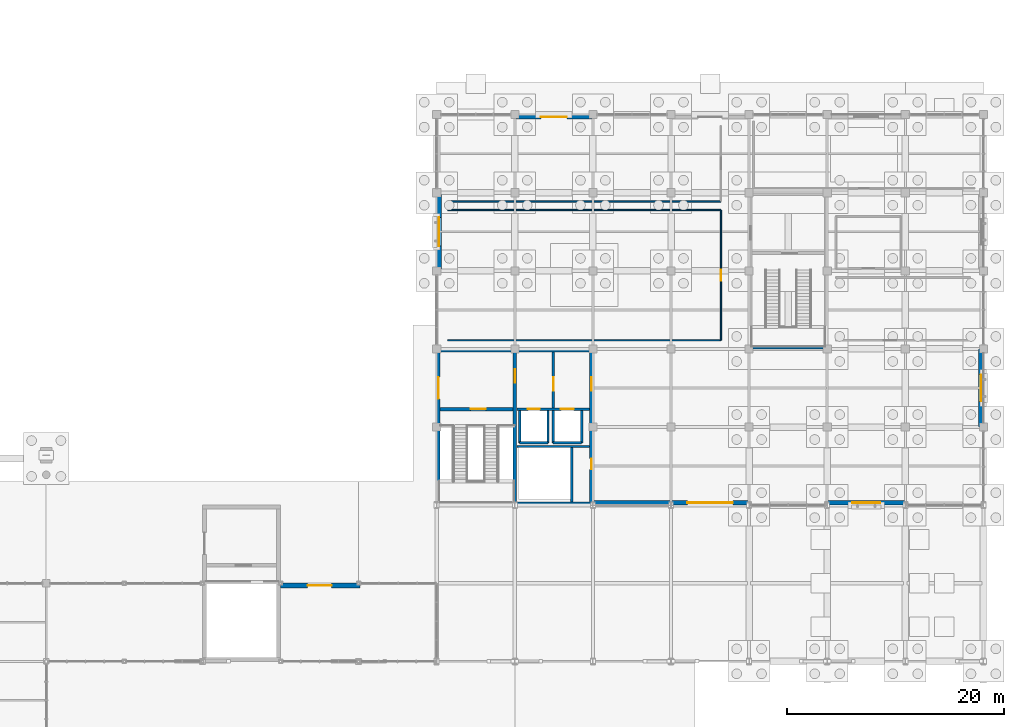
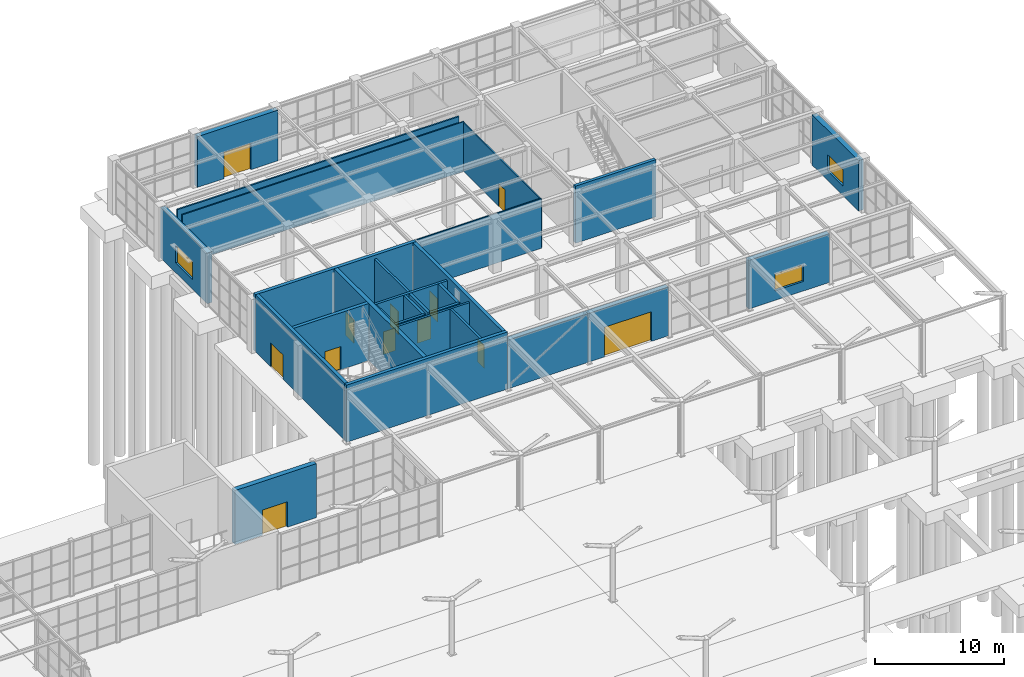
# One storey, part 62 of 75: 28 walls, 12 doors, 3 windows, 15 openings.
"""IFC4 building model written with IfcOpenShell, lengths in metres."""

from ifc_helpers import new_model, si_unit, direction, frame, frame_2d, origin, place, context, subcontext, project, spatial, rectangle, extrude, material, layer, layer_set, type_object, element, fill, save


model = new_model("IFC4")

# Units and contexts
model_context = context("Model", 3, precision=1e-05, world=origin(), true_north=direction((0.0, 1.0)))
body_context = subcontext(model_context, "Body", "Model", "MODEL_VIEW")
ifc_project = project(units=[si_unit("LENGTHUNIT", "METRE"), si_unit("AREAUNIT", "SQUARE_METRE"), si_unit("VOLUMEUNIT", "CUBIC_METRE"), si_unit("PLANEANGLEUNIT", "RADIAN"), si_unit("MASSUNIT", "GRAM", prefix="KILO")], contexts=[model_context])

# Site, building, storey
site_placement = place(None, origin())
site = spatial("IfcSite", under=ifc_project, at=site_placement, CompositionType="ELEMENT")
building_placement = place(site_placement, origin())
building = spatial("IfcBuilding", under=site, at=building_placement, Name="Leyfeld Transit Interchange", CompositionType="ELEMENT")
storey_placement = place(building_placement, origin())
storey = spatial("IfcBuildingStorey", under=building, at=storey_placement, Name="L00", CompositionType="ELEMENT", Elevation=0.0)

# Wall, opening, door
ifc_material_1 = material(Name="Clinker brick masonry - Insulated", Category="masonry")
ifc_layer_1 = layer(ifc_material_1, 0.419921875, Name="Clinker brick masonry - Insulated")
ifc_layer_set_1 = layer_set([ifc_layer_1], Name="Clinker brick masonry - Insulated")
wall_type_1 = type_object("IfcWallType", Name="WL-EXT-BRK-420", PredefinedType="SOLIDWALL", material=ifc_layer_set_1)
wall_1_placement = place(storey_placement, frame((144.0, 93.389892578125, 0.0), z_axis=(0.0, 0.0, 1.0), x_axis=(1.0, 0.0, 0.0)))
wall_1 = element("IfcWall", 1, at=wall_1_placement, inside=storey, type_object=wall_type_1, Name="External Facade Wall EW-L00-033", PredefinedType="SOLIDWALL", context=body_context, shape_type="SweptSolid", body=[
    extrude(rectangle(XDim=7.199951171875, YDim=0.419921875, at=frame_2d((3.60009765625, 0.0))), origin(), (0.0, 0.0, 1.0), 4.800048828125),
])
opening_1_placement = place(wall_1_placement, frame((2.39990234375, 0.0, 0.0)))
opening_1 = element("IfcOpeningElement", 2, at=opening_1_placement, cuts=wall_1, Name="Opening DE-01", PredefinedType="OPENING", context=body_context, shape_type="SweptSolid", body=[
    extrude(rectangle(XDim=2.39990234375, YDim=2.5, at=frame_2d((1.199951171875, 1.25))), frame((0.0, 0.219970703125, 0.0), z_axis=(0.0, -1.0, 0.0), x_axis=(1.0, 0.0, 0.0)), (0.0, 0.0, 1.0), 0.43994140625),
])
ifc_material_2 = material(Name="Anodised aluminium EN AW-6060 T66", Category="aluminium")
door_type_1 = type_object("IfcDoorType", Name="DR-EXT-DBL-2400x2500", OperationType="NOTDEFINED", PredefinedType="DOOR", material=ifc_material_2)
door_1_placement = place(opening_1_placement, origin())
door_1 = element("IfcDoor", 3, at=door_1_placement, inside=storey, type_object=door_type_1, Name="DR-EXT-L00-015", OperationType="DOUBLE_DOOR_SINGLE_SWING", OverallHeight=2.5, OverallWidth=2.39990234375, PredefinedType="DOOR", context=body_context, shape_type="SweptSolid", body=[
    extrude(rectangle(XDim=2.39990234375, YDim=2.5, at=frame_2d((1.199951171875, 1.25))), frame((0.0, 0.02490234375, 0.0), z_axis=(0.0, -1.0, 0.0), x_axis=(1.0, 0.0, 0.0)), (0.0, 0.0, 1.0), 0.050048828125),
])
fill(opening_1, door_1)

ifc_material_3 = material(Name="Leitha limestone ashlar - Insulated", Category="masonry")
ifc_layer_2 = layer(ifc_material_3, 0.43994140625, Name="Leitha limestone ashlar - Insulated")
ifc_layer_set_2 = layer_set([ifc_layer_2], Name="Leitha limestone ashlar - Insulated")
wall_type_2 = type_object("IfcWallType", Name="WL-EXT-STN-440", PredefinedType="SOLIDWALL", material=ifc_layer_set_2)
wall_2_placement = place(storey_placement, frame((122.39990234375, 50.179931640625, 0.0), z_axis=(0.0, 0.0, 1.0), x_axis=(1.0, 0.0, 0.0)))
wall_2 = element("IfcWall", 4, at=wall_2_placement, inside=storey, type_object=wall_type_2, Name="External Facade Wall EW-L00-028", PredefinedType="SOLIDWALL", context=body_context, shape_type="SweptSolid", body=[
    extrude(rectangle(XDim=7.315185546875, YDim=0.43994140625, at=frame_2d((3.65771484375, 0.0))), origin(), (0.0, 0.0, 1.0), 5.10009765625),
])
opening_2_placement = place(wall_2_placement, frame((2.5, 0.0, 0.0)))
opening_2 = element("IfcOpeningElement", 5, at=opening_2_placement, cuts=wall_2, Name="Opening DE-02", PredefinedType="OPENING", context=body_context, shape_type="SweptSolid", body=[
    extrude(rectangle(XDim=2.199951171875, YDim=2.39990234375, at=frame_2d((1.10009765625, 1.199951171875))), frame((0.0, 0.22998046875, 0.0), z_axis=(0.0, -1.0, 0.0), x_axis=(1.0, 0.0, 0.0)), (0.0, 0.0, 1.0), 0.4599609375),
])
door_type_2 = type_object("IfcDoorType", Name="DR-EXT-DBL-2200x2400", OperationType="NOTDEFINED", PredefinedType="DOOR", material=ifc_material_2)
door_2_placement = place(opening_2_placement, origin())
door_2 = element("IfcDoor", 6, at=door_2_placement, inside=storey, type_object=door_type_2, Name="DR-EXT-L00-010", OperationType="DOUBLE_DOOR_SINGLE_SWING", OverallHeight=2.39990234375, OverallWidth=2.199951171875, PredefinedType="DOOR", context=body_context, shape_type="SweptSolid", body=[
    extrude(rectangle(XDim=2.199951171875, YDim=2.39990234375, at=frame_2d((1.10009765625, 1.199951171875))), frame((0.0, 0.02490234375, 0.0), z_axis=(0.0, -1.0, 0.0), x_axis=(1.0, 0.0, 0.0)), (0.0, 0.0, 1.0), 0.050048828125),
])
fill(opening_2, door_2)

# Wall, opening, window
wall_3_placement = place(storey_placement, frame((186.97998046875, 72.0, 0.0), z_axis=(0.0, 0.0, 1.0), x_axis=(0.0, -1.0, 0.0)))
wall_3 = element("IfcWall", 7, at=wall_3_placement, inside=storey, type_object=wall_type_2, Name="External Facade Wall EW-L00-037", PredefinedType="SOLIDWALL", context=body_context, shape_type="SweptSolid", body=[
    extrude(rectangle(XDim=7.199951171875, YDim=0.43994140625, at=frame_2d((3.60009765625, 0.0))), origin(), (0.0, 0.0, 1.0), 4.77001953125),
])
opening_3_placement = place(wall_3_placement, frame((2.375, 0.0, 0.89990234375)))
opening_3 = element("IfcOpeningElement", 8, at=opening_3_placement, cuts=wall_3, Name="Opening WU-13", PredefinedType="OPENING", context=body_context, shape_type="SweptSolid", body=[
    extrude(rectangle(XDim=2.449951171875, YDim=1.550048828125, at=frame_2d((1.22509765625, 0.77490234375))), frame((0.0, 0.22998046875, 0.0), z_axis=(0.0, -1.0, 0.0), x_axis=(1.0, 0.0, 0.0)), (0.0, 0.0, 1.0), 0.4599609375),
])
ifc_material_4 = material(Name="Triple low-E insulated glazing", Category="glass")
window_type_1 = type_object("IfcWindowType", Name="WIN-UNQ-13", PartitioningType="SINGLE_PANEL", PredefinedType="WINDOW", material=ifc_material_4)
window_1_placement = place(opening_3_placement, origin())
window_1 = element("IfcWindow", 9, at=window_1_placement, inside=storey, type_object=window_type_1, Name="Facade Window L00 013", OverallHeight=1.550048828125, OverallWidth=2.449951171875, PartitioningType="SINGLE_PANEL", PredefinedType="WINDOW", context=body_context, shape_type="SweptSolid", body=[
    extrude(rectangle(XDim=2.449951171875, YDim=1.550048828125, at=frame_2d((1.22509765625, 0.77490234375))), frame((0.0, 0.030029296875, 0.0), z_axis=(0.0, -1.0, 0.0), x_axis=(1.0, 0.0, 0.0)), (0.0, 0.0, 1.0), 0.06005859375),
])
fill(opening_3, window_1)

wall_4_placement = place(storey_placement, frame((180.0, 57.820068359375, 0.0), z_axis=(0.0, 0.0, 1.0), x_axis=(-1.0, 0.0, 0.0)))
wall_4 = element("IfcWall", 10, at=wall_4_placement, inside=storey, type_object=wall_type_2, Name="External Facade Wall EW-L00-038", PredefinedType="SOLIDWALL", context=body_context, shape_type="SweptSolid", body=[
    extrude(rectangle(XDim=7.199951171875, YDim=0.43994140625, at=frame_2d((3.60009765625, 0.0))), origin(), (0.0, 0.0, 1.0), 4.60009765625),
])
opening_4_placement = place(wall_4_placement, frame((2.324951171875, 0.0, 0.89990234375)))
opening_4 = element("IfcOpeningElement", 11, at=opening_4_placement, cuts=wall_4, Name="Opening WU-14", PredefinedType="OPENING", context=body_context, shape_type="SweptSolid", body=[
    extrude(rectangle(XDim=2.550048828125, YDim=1.60009765625, at=frame_2d((1.27490234375, 0.800048828125))), frame((0.0, 0.22998046875, 0.0), z_axis=(0.0, -1.0, 0.0), x_axis=(1.0, 0.0, 0.0)), (0.0, 0.0, 1.0), 0.4599609375),
])
window_type_2 = type_object("IfcWindowType", Name="WIN-UNQ-14", PartitioningType="SINGLE_PANEL", PredefinedType="WINDOW", material=ifc_material_4)
window_2_placement = place(opening_4_placement, origin())
window_2 = element("IfcWindow", 12, at=window_2_placement, inside=storey, type_object=window_type_2, Name="Facade Window L00 014", OverallHeight=1.60009765625, OverallWidth=2.550048828125, PartitioningType="SINGLE_PANEL", PredefinedType="WINDOW", context=body_context, shape_type="SweptSolid", body=[
    extrude(rectangle(XDim=2.550048828125, YDim=1.60009765625, at=frame_2d((1.27490234375, 0.800048828125))), frame((0.0, 0.030029296875, 0.0), z_axis=(0.0, -1.0, 0.0), x_axis=(1.0, 0.0, 0.0)), (0.0, 0.0, 1.0), 0.06005859375),
])
fill(opening_4, window_2)

# Wall, opening, door
wall_5_placement = place(storey_placement, frame((165.60009765625, 57.820068359375, 0.0), z_axis=(0.0, 0.0, 1.0), x_axis=(-1.0, 0.0, 0.0)))
wall_5 = element("IfcWall", 13, at=wall_5_placement, inside=storey, type_object=wall_type_2, Name="External Facade Wall EW-L00-039", PredefinedType="SOLIDWALL", context=body_context, shape_type="SweptSolid", body=[
    extrude(rectangle(XDim=7.2001953125, YDim=0.43994140625, at=frame_2d((3.60009765625, 0.0))), origin(), (0.0, 0.0, 1.0), 4.60009765625),
])
opening_5_placement = place(wall_5_placement, frame((1.5, 0.0, 0.0)))
opening_5 = element("IfcOpeningElement", 14, at=opening_5_placement, cuts=wall_5, Name="Opening GT-03", PredefinedType="OPENING", context=body_context, shape_type="SweptSolid", body=[
    extrude(rectangle(XDim=4.199951171875, YDim=2.800048828125, at=frame_2d((2.10009765625, 1.39990234375))), frame((0.0, 0.22998046875, 0.0), z_axis=(0.0, -1.0, 0.0), x_axis=(1.0, 0.0, 0.0)), (0.0, 0.0, 1.0), 0.4599609375),
])
ifc_material_5 = material(Name="Galvanised steel S275JR", Category="steel")
door_type_3 = type_object("IfcDoorType", Name="GT-BUS-4200x2800", OperationType="NOTDEFINED", PredefinedType="GATE", material=ifc_material_5)
door_3_placement = place(opening_5_placement, origin())
door_3 = element("IfcDoor", 15, at=door_3_placement, inside=storey, type_object=door_type_3, Name="GT-L00-08", OperationType="ROLLINGUP", OverallHeight=2.800048828125, OverallWidth=4.199951171875, PredefinedType="GATE", context=body_context, shape_type="SweptSolid", body=[
    extrude(rectangle(XDim=4.199951171875, YDim=2.800048828125, at=frame_2d((2.10009765625, 1.39990234375))), frame((0.0, 0.02490234375, 0.0), z_axis=(0.0, -1.0, 0.0), x_axis=(1.0, 0.0, 0.0)), (0.0, 0.0, 1.0), 0.050048828125),
])
fill(opening_5, door_3)

# Wall
wall_6_placement = place(storey_placement, frame((158.39990234375, 57.820068359375, 0.0), z_axis=(0.0, 0.0, 1.0), x_axis=(-1.0, 0.0, 0.0)))
element("IfcWall", 16, at=wall_6_placement, inside=storey, type_object=wall_type_2, Name="External Facade Wall EW-L00-040", PredefinedType="SOLIDWALL", context=body_context, shape_type="SweptSolid", body=[
    extrude(rectangle(XDim=7.199951171875, YDim=0.43994140625, at=frame_2d((3.60009765625, 0.0))), origin(), (0.0, 0.0, 1.0), 4.60009765625),
])

# Wall, opening, window
wall_7_placement = place(storey_placement, frame((137.02001953125, 79.199951171875, 0.0), z_axis=(0.0, 0.0, 1.0), x_axis=(0.0, 1.0, 0.0)))
wall_7 = element("IfcWall", 17, at=wall_7_placement, inside=storey, type_object=wall_type_2, Name="External Facade Wall EW-L00-041", PredefinedType="SOLIDWALL", context=body_context, shape_type="SweptSolid", body=[
    extrude(rectangle(XDim=7.199951171875, YDim=0.43994140625, at=frame_2d((3.60009765625, 0.0))), origin(), (0.0, 0.0, 1.0), 4.77001953125),
])
opening_6_placement = place(wall_7_placement, frame((2.27490234375, 0.0, 0.89990234375)))
opening_6 = element("IfcOpeningElement", 18, at=opening_6_placement, cuts=wall_7, Name="Opening WU-15", PredefinedType="OPENING", context=body_context, shape_type="SweptSolid", body=[
    extrude(rectangle(XDim=2.64990234375, YDim=1.699951171875, at=frame_2d((1.324951171875, 0.85009765625))), frame((0.0, 0.22998046875, 0.0), z_axis=(0.0, -1.0, 0.0), x_axis=(1.0, 0.0, 0.0)), (0.0, 0.0, 1.0), 0.4599609375),
])
window_type_3 = type_object("IfcWindowType", Name="WIN-UNQ-15", PartitioningType="SINGLE_PANEL", PredefinedType="WINDOW", material=ifc_material_4)
window_3_placement = place(opening_6_placement, origin())
window_3 = element("IfcWindow", 19, at=window_3_placement, inside=storey, type_object=window_type_3, Name="Facade Window L00 015", OverallHeight=1.699951171875, OverallWidth=2.64990234375, PartitioningType="SINGLE_PANEL", PredefinedType="WINDOW", context=body_context, shape_type="SweptSolid", body=[
    extrude(rectangle(XDim=2.64990234375, YDim=1.699951171875, at=frame_2d((1.324951171875, 0.85009765625))), frame((0.0, 0.030029296875, 0.0), z_axis=(0.0, -1.0, 0.0), x_axis=(1.0, 0.0, 0.0)), (0.0, 0.0, 1.0), 0.06005859375),
])
fill(opening_6, window_3)

# Wall, opening, door
ifc_material_6 = material(Name="Concrete C35/45", Category="concrete")
ifc_layer_3 = layer(ifc_material_6, 0.199951171875, Name="Concrete C35/45")
ifc_layer_set_3 = layer_set([ifc_layer_3], Name="Concrete C35/45")
wall_type_3 = type_object("IfcWallType", Name="WL-INT-FFL-200", PredefinedType="PARTITIONING", material=ifc_layer_set_3)
wall_8_placement = place(storey_placement, frame((147.550048828125, 66.56005859375, 0.0), z_axis=(0.0, 0.0, 1.0), x_axis=(0.0, 1.0, 0.0)))
wall_8 = element("IfcWall", 20, at=wall_8_placement, inside=storey, type_object=wall_type_3, Name="Core K4 Firefighting Lobby Compartment Wall L00", PredefinedType="PARTITIONING", context=body_context, shape_type="SweptSolid", body=[
    extrude(rectangle(XDim=5.139892578125, YDim=0.199951171875, at=frame_2d((2.56982421875, 0.0))), origin(), (0.0, 0.0, 1.0), 5.050048828125),
])
opening_7_placement = place(wall_8_placement, frame((1.60009765625, 0.0, 0.0)))
opening_7 = element("IfcOpeningElement", 21, at=opening_7_placement, cuts=wall_8, Name="Opening DI-02", PredefinedType="OPENING", context=body_context, shape_type="SweptSolid", body=[
    extrude(rectangle(XDim=1.25, YDim=2.199951171875, at=frame_2d((0.625, 1.10009765625))), frame((0.0, 0.10986328125, 0.0), z_axis=(0.0, -1.0, 0.0), x_axis=(1.0, 0.0, 0.0)), (0.0, 0.0, 1.0), 0.219970703125),
])
door_type_4 = type_object("IfcDoorType", Name="DR-FFL-1250x2200", OperationType="NOTDEFINED", PredefinedType="DOOR", material=ifc_material_5)
door_4_placement = place(opening_7_placement, origin())
door_4 = element("IfcDoor", 22, at=door_4_placement, inside=storey, type_object=door_type_4, Name="DR-FFL-CON-K4-L00", OperationType="SINGLE_SWING_RIGHT", OverallHeight=2.199951171875, OverallWidth=1.25, PredefinedType="DOOR", context=body_context, shape_type="SweptSolid", body=[
    extrude(rectangle(XDim=1.25, YDim=2.199951171875, at=frame_2d((0.625, 1.10009765625))), frame((0.0, 0.02490234375, 0.0), z_axis=(0.0, -1.0, 0.0), x_axis=(1.0, 0.0, 0.0)), (0.0, 0.0, 1.0), 0.050048828125),
])
fill(opening_7, door_4)

# Walls
ifc_material_7 = material(Name="Gypsum plasterboard acoustic stud", Category="gypsum")
ifc_layer_4 = layer(ifc_material_7, 0.114990234375, Name="Gypsum plasterboard acoustic stud")
ifc_layer_set_4 = layer_set([ifc_layer_4], Name="Gypsum plasterboard acoustic stud")
wall_type_4 = type_object("IfcWallType", Name="WL-INT-OFF-115", PredefinedType="PARTITIONING", material=ifc_layer_set_4)
for number, where, z_axis, x_axis, name in (
    (23, (137.800048828125, 84.800048828125, 0.0), (0.0, 0.0, 1.0), (1.0, 0.0, 0.0), "Interior Partition L00-BUS-02 N"),
    (24, (163.0, 72.800048828125, 0.0), (0.0, 0.0, 1.0), (-1.0, 0.0, 0.0), "Interior Partition L00-BUS-02 S"),
):
    element("IfcWall", number, at=place(storey_placement, frame(where, z_axis=z_axis, x_axis=x_axis)), inside=storey, type_object=wall_type_4, Name=name, PredefinedType="PARTITIONING", context=body_context, shape_type="SweptSolid", body=[
        extrude(rectangle(XDim=25.199951171875, YDim=0.114990234375, at=frame_2d((12.60009765625, 0.0))), origin(), (0.0, 0.0, 1.0), 4.699951171875),
    ])

# Wall, opening, door
wall_9_placement = place(storey_placement, frame((163.0, 84.800048828125, 0.0), z_axis=(0.0, 0.0, 1.0), x_axis=(0.0, -1.0, 0.0)))
wall_9 = element("IfcWall", 25, at=wall_9_placement, inside=storey, type_object=wall_type_4, Name="Interior Partition L00-BUS-02 E", PredefinedType="PARTITIONING", context=body_context, shape_type="SweptSolid", body=[
    extrude(rectangle(XDim=12.0, YDim=0.114990234375, at=frame_2d((6.0, 0.0))), origin(), (0.0, 0.0, 1.0), 4.60009765625),
])
opening_8_placement = place(wall_9_placement, frame((5.510009765625, 0.0, 0.0)))
opening_8 = element("IfcOpeningElement", 26, at=opening_8_placement, cuts=wall_9, Name="Opening DV-02", PredefinedType="OPENING", context=body_context, shape_type="SweptSolid", body=[
    extrude(rectangle(XDim=0.97998046875, YDim=2.14990234375, at=frame_2d((0.489990234375, 1.074951171875))), frame((0.0, 0.0673828125, 0.0), z_axis=(0.0, -1.0, 0.0), x_axis=(1.0, 0.0, 0.0)), (0.0, 0.0, 1.0), 0.135009765625),
])
ifc_material_8 = material(Name="Austrian larch glulam GL28h", Category="wood")
door_type_5 = type_object("IfcDoorType", Name="DR-VAR-02", OperationType="NOTDEFINED", PredefinedType="DOOR", material=ifc_material_8)
door_5_placement = place(opening_8_placement, origin())
door_5 = element("IfcDoor", 27, at=door_5_placement, inside=storey, type_object=door_type_5, Name="DR-L00-BUS-02", OperationType="SINGLE_SWING_RIGHT", OverallHeight=2.14990234375, OverallWidth=0.97998046875, PredefinedType="DOOR", context=body_context, shape_type="SweptSolid", body=[
    extrude(rectangle(XDim=0.97998046875, YDim=2.14990234375, at=frame_2d((0.489990234375, 1.074951171875))), frame((0.0, 0.02490234375, 0.0), z_axis=(0.0, -1.0, 0.0), x_axis=(1.0, 0.0, 0.0)), (0.0, 0.0, 1.0), 0.050048828125),
])
fill(opening_8, door_5)

# Walls
ifc_material_9 = material(Name="Calcium silicate masonry", Category="masonry")
ifc_layer_5 = layer(ifc_material_9, 0.18994140625, Name="Calcium silicate masonry")
ifc_layer_set_5 = layer_set([ifc_layer_5], Name="Calcium silicate masonry")
wall_type_5 = type_object("IfcWallType", Name="WL-INT-PLT-190", PredefinedType="PARTITIONING", material=ifc_layer_set_5)
wall_10_placement = place(storey_placement, frame((144.179931640625, 63.02001953125, 0.0), z_axis=(0.0, 0.0, 1.0), x_axis=(1.0, 0.0, 0.0)))
element("IfcWall", 28, at=wall_10_placement, inside=storey, type_object=wall_type_5, Name="Core K4 Riser Compartment Wall L00", PredefinedType="PARTITIONING", context=body_context, shape_type="SweptSolid", body=[
    extrude(rectangle(XDim=6.719970703125, YDim=0.18994140625, at=frame_2d((3.35986328125, 0.0))), origin(), (0.0, 0.0, 1.0), 5.050048828125),
])
wall_11_placement = place(storey_placement, frame((149.25, 57.89990234375, 0.0), z_axis=(0.0, 0.0, 1.0), x_axis=(0.0, 1.0, 0.0)))
element("IfcWall", 29, at=wall_11_placement, inside=storey, type_object=wall_type_5, Name="Core K4 Riser Shaft East Wall L00", PredefinedType="PARTITIONING", context=body_context, shape_type="SweptSolid", body=[
    extrude(rectangle(XDim=5.030029296875, YDim=0.18994140625, at=frame_2d((2.51513671875, 0.0))), origin(), (0.0, 0.0, 1.0), 5.050048828125),
])
ifc_layer_6 = layer(ifc_material_7, 0.135009765625, Name="Gypsum plasterboard acoustic stud")
ifc_layer_set_6 = layer_set([ifc_layer_6], Name="Gypsum plasterboard acoustic stud")
wall_type_6 = type_object("IfcWallType", Name="WL-INT-RET-135", PredefinedType="PARTITIONING", material=ifc_layer_set_6)
wall_12_placement = place(storey_placement, frame((163.0, 85.60009765625, 0.0), z_axis=(0.0, 0.0, 1.0), x_axis=(-1.0, 0.0, 0.0)))
element("IfcWall", 30, at=wall_12_placement, inside=storey, type_object=wall_type_6, Name="Interior Partition L00-RET-03 S", PredefinedType="PARTITIONING", context=body_context, shape_type="SweptSolid", body=[
    extrude(rectangle(XDim=25.199951171875, YDim=0.135009765625, at=frame_2d((12.60009765625, 0.0))), origin(), (0.0, 0.0, 1.0), 4.699951171875),
])

# Wall, openings, doors
ifc_layer_7 = layer(ifc_material_6, 0.219970703125, Name="Concrete C35/45")
ifc_layer_set_7 = layer_set([ifc_layer_7], Name="Concrete C35/45")
wall_type_7 = type_object("IfcWallType", Name="WL-INT-SHF-220", PredefinedType="PARTITIONING", material=ifc_layer_set_7)
wall_13_placement = place(storey_placement, frame((144.179931640625, 66.449951171875, 0.0), z_axis=(0.0, 0.0, 1.0), x_axis=(1.0, 0.0, 0.0)))
wall_13 = element("IfcWall", 31, at=wall_13_placement, inside=storey, type_object=wall_type_7, Name="Core K4 Lift Shaft Front Wall L00", PredefinedType="PARTITIONING", context=body_context, shape_type="SweptSolid", body=[
    extrude(rectangle(XDim=6.719970703125, YDim=0.219970703125, at=frame_2d((3.35986328125, 0.0))), origin(), (0.0, 0.0, 1.0), 5.050048828125),
])
opening_9_placement = place(wall_13_placement, frame((1.02001953125, 0.0, 0.0)))
opening_9 = element("IfcOpeningElement", 32, at=opening_9_placement, cuts=wall_13, Name="Opening LD-01", PredefinedType="OPENING", context=body_context, shape_type="SweptSolid", body=[
    extrude(rectangle(XDim=1.10009765625, YDim=2.14990234375, at=frame_2d((0.550048828125, 1.074951171875))), frame((0.0, 0.119873046875, 0.0), z_axis=(0.0, -1.0, 0.0), x_axis=(1.0, 0.0, 0.0)), (0.0, 0.0, 1.0), 0.239990234375),
])
opening_10_placement = place(wall_13_placement, frame((4.070068359375, 0.0, 0.0)))
opening_10 = element("IfcOpeningElement", 33, at=opening_10_placement, cuts=wall_13, Name="Opening LD-02", PredefinedType="OPENING", context=body_context, shape_type="SweptSolid", body=[
    extrude(rectangle(XDim=1.199951171875, YDim=2.14990234375, at=frame_2d((0.60009765625, 1.074951171875))), frame((0.0, 0.119873046875, 0.0), z_axis=(0.0, -1.0, 0.0), x_axis=(1.0, 0.0, 0.0)), (0.0, 0.0, 1.0), 0.239990234375),
])
ifc_material_10 = material(Name="Stainless steel EN 1.4404", Category="steel")
door_type_6 = type_object("IfcDoorType", Name="DR-LD-FFL-1100x2150", OperationType="NOTDEFINED", PredefinedType="DOOR", material=ifc_material_10)
door_6_placement = place(opening_9_placement, origin())
door_6 = element("IfcDoor", 34, at=door_6_placement, inside=storey, type_object=door_type_6, Name="LD-FFL-2-L00", OperationType="DOUBLE_DOOR_SLIDING", OverallHeight=2.14990234375, OverallWidth=1.10009765625, PredefinedType="DOOR", context=body_context, shape_type="SweptSolid", body=[
    extrude(rectangle(XDim=1.10009765625, YDim=2.14990234375, at=frame_2d((0.550048828125, 1.074951171875))), frame((0.0, 0.02490234375, 0.0), z_axis=(0.0, -1.0, 0.0), x_axis=(1.0, 0.0, 0.0)), (0.0, 0.0, 1.0), 0.050048828125),
])
fill(opening_9, door_6)
door_type_7 = type_object("IfcDoorType", Name="DR-LD-PAS-1200x2150", OperationType="NOTDEFINED", PredefinedType="DOOR", material=ifc_material_10)
door_7_placement = place(opening_10_placement, origin())
door_7 = element("IfcDoor", 35, at=door_7_placement, inside=storey, type_object=door_type_7, Name="LD-PL-4-L00", OperationType="DOUBLE_DOOR_SLIDING", OverallHeight=2.14990234375, OverallWidth=1.199951171875, PredefinedType="DOOR", context=body_context, shape_type="SweptSolid", body=[
    extrude(rectangle(XDim=1.199951171875, YDim=2.14990234375, at=frame_2d((0.60009765625, 1.074951171875))), frame((0.0, 0.02490234375, 0.0), z_axis=(0.0, -1.0, 0.0), x_axis=(1.0, 0.0, 0.0)), (0.0, 0.0, 1.0), 0.050048828125),
])
fill(opening_10, door_7)

# Walls
wall_14_placement = place(storey_placement, frame((144.43994140625, 63.340087890625, 0.0), z_axis=(0.0, 0.0, 1.0), x_axis=(1.0, 0.0, 0.0)))
element("IfcWall", 36, at=wall_14_placement, inside=storey, type_object=wall_type_7, Name="Core K4 Lift FFL-2 Shaft Back Wall L00", PredefinedType="PARTITIONING", context=body_context, shape_type="SweptSolid", body=[
    extrude(rectangle(XDim=2.6201171875, YDim=0.219970703125, at=frame_2d((1.31005859375, 0.0))), origin(), (0.0, 0.0, 1.0), 5.050048828125),
])
for number, where, z_axis, x_axis, name in (
    (37, (144.43994140625, 63.340087890625, 0.0), (0.0, 0.0, 1.0), (0.0, 1.0, 0.0), "Core K4 Lift FFL-2 Shaft Wall W L00"),
    (38, (147.06005859375, 63.340087890625, 0.0), (0.0, 0.0, 1.0), (0.0, 1.0, 0.0), "Core K4 Lift FFL-2 Shaft Wall E L00"),
):
    element("IfcWall", number, at=place(storey_placement, frame(where, z_axis=z_axis, x_axis=x_axis)), inside=storey, type_object=wall_type_7, Name=name, PredefinedType="PARTITIONING", context=body_context, shape_type="SweptSolid", body=[
        extrude(rectangle(XDim=3.0, YDim=0.219970703125, at=frame_2d((1.5, 0.0))), origin(), (0.0, 0.0, 1.0), 5.050048828125),
    ])
wall_15_placement = place(storey_placement, frame((147.5400390625, 63.340087890625, 0.0), z_axis=(0.0, 0.0, 1.0), x_axis=(1.0, 0.0, 0.0)))
element("IfcWall", 39, at=wall_15_placement, inside=storey, type_object=wall_type_7, Name="Core K4 Lift PL-4 Shaft Back Wall L00", PredefinedType="PARTITIONING", context=body_context, shape_type="SweptSolid", body=[
    extrude(rectangle(XDim=2.619873046875, YDim=0.219970703125, at=frame_2d((1.31005859375, 0.0))), origin(), (0.0, 0.0, 1.0), 5.050048828125),
])
for number, where, z_axis, x_axis, name in (
    (40, (147.5400390625, 63.340087890625, 0.0), (0.0, 0.0, 1.0), (0.0, 1.0, 0.0), "Core K4 Lift PL-4 Shaft Wall W L00"),
    (41, (150.159912109375, 63.340087890625, 0.0), (0.0, 0.0, 1.0), (0.0, 1.0, 0.0), "Core K4 Lift PL-4 Shaft Wall E L00"),
):
    element("IfcWall", number, at=place(storey_placement, frame(where, z_axis=z_axis, x_axis=x_axis)), inside=storey, type_object=wall_type_7, Name=name, PredefinedType="PARTITIONING", context=body_context, shape_type="SweptSolid", body=[
        extrude(rectangle(XDim=3.0, YDim=0.219970703125, at=frame_2d((1.5, 0.0))), origin(), (0.0, 0.0, 1.0), 5.050048828125),
    ])
ifc_layer_8 = layer(ifc_material_6, 0.300048828125, Name="Concrete C35/45")
ifc_layer_set_8 = layer_set([ifc_layer_8], Name="Concrete C35/45")
wall_type_8 = type_object("IfcWallType", Name="WL-SH-300", PredefinedType="SHEAR", material=ifc_layer_set_8)
wall_16_placement = place(storey_placement, frame((136.800048828125, 71.85009765625, 0.0), z_axis=(0.0, 0.0, 1.0), x_axis=(1.0, 0.0, 0.0)))
element("IfcWall", 42, at=wall_16_placement, inside=storey, type_object=wall_type_8, Name="Core K4 Shear Wall N L00", PredefinedType="SHEAR", context=body_context, shape_type="SweptSolid", body=[
    extrude(rectangle(XDim=14.39990234375, YDim=0.300048828125, at=frame_2d((7.199951171875, 0.0))), origin(), (0.0, 0.0, 1.0), 5.39990234375),
])

# Wall, openings, doors
wall_17_placement = place(storey_placement, frame((151.050048828125, 71.699951171875, 0.0), z_axis=(0.0, 0.0, 1.0), x_axis=(0.0, -1.0, 0.0)))
wall_17 = element("IfcWall", 43, at=wall_17_placement, inside=storey, type_object=wall_type_8, Name="Core K4 Shear Wall E L00", PredefinedType="SHEAR", context=body_context, shape_type="SweptSolid", body=[
    extrude(rectangle(XDim=13.800048828125, YDim=0.300048828125, at=frame_2d((6.89990234375, 0.0))), origin(), (0.0, 0.0, 1.0), 5.39990234375),
])
opening_11_placement = place(wall_17_placement, frame((9.800048828125, 0.0, 0.0)))
opening_11 = element("IfcOpeningElement", 44, at=opening_11_placement, cuts=wall_17, Name="Opening DI-05", PredefinedType="OPENING", context=body_context, shape_type="SweptSolid", body=[
    extrude(rectangle(XDim=1.0, YDim=2.14990234375, at=frame_2d((0.5, 1.074951171875))), frame((0.0, 0.159912109375, 0.0), z_axis=(0.0, -1.0, 0.0), x_axis=(1.0, 0.0, 0.0)), (0.0, 0.0, 1.0), 0.320068359375),
])
opening_12_placement = place(wall_17_placement, frame((2.300048828125, 0.0, 0.0)))
opening_12 = element("IfcOpeningElement", 45, at=opening_12_placement, cuts=wall_17, Name="Opening DI-02", PredefinedType="OPENING", context=body_context, shape_type="SweptSolid", body=[
    extrude(rectangle(XDim=1.25, YDim=2.199951171875, at=frame_2d((0.625, 1.10009765625))), frame((0.0, 0.159912109375, 0.0), z_axis=(0.0, -1.0, 0.0), x_axis=(1.0, 0.0, 0.0)), (0.0, 0.0, 1.0), 0.320068359375),
])
door_8_placement = place(opening_12_placement, origin())
door_8 = element("IfcDoor", 46, at=door_8_placement, inside=storey, type_object=door_type_4, Name="DR-CORE-OUT-K4-L00", OperationType="SINGLE_SWING_LEFT", OverallHeight=2.199951171875, OverallWidth=1.25, PredefinedType="DOOR", context=body_context, shape_type="SweptSolid", body=[
    extrude(rectangle(XDim=1.25, YDim=2.199951171875, at=frame_2d((0.625, 1.10009765625))), frame((0.0, 0.02490234375, 0.0), z_axis=(0.0, -1.0, 0.0), x_axis=(1.0, 0.0, 0.0)), (0.0, 0.0, 1.0), 0.050048828125),
])
fill(opening_12, door_8)
door_type_8 = type_object("IfcDoorType", Name="DR-OFF-1000x2150", OperationType="NOTDEFINED", PredefinedType="DOOR", material=ifc_material_8)
door_9_placement = place(opening_11_placement, origin())
door_9 = element("IfcDoor", 47, at=door_9_placement, inside=storey, type_object=door_type_8, Name="DR-RSR-K4-L00", OperationType="SINGLE_SWING_LEFT", OverallHeight=2.14990234375, OverallWidth=1.0, PredefinedType="DOOR", context=body_context, shape_type="SweptSolid", body=[
    extrude(rectangle(XDim=1.0, YDim=2.14990234375, at=frame_2d((0.5, 1.074951171875))), frame((0.0, 0.02490234375, 0.0), z_axis=(0.0, -1.0, 0.0), x_axis=(1.0, 0.0, 0.0)), (0.0, 0.0, 1.0), 0.050048828125),
])
fill(opening_11, door_9)

# Wall
wall_18_placement = place(storey_placement, frame((151.199951171875, 57.75, 0.0), z_axis=(0.0, 0.0, 1.0), x_axis=(-1.0, 0.0, 0.0)))
element("IfcWall", 48, at=wall_18_placement, inside=storey, type_object=wall_type_8, Name="Core K4 Shear Wall S L00", PredefinedType="SHEAR", context=body_context, shape_type="SweptSolid", body=[
    extrude(rectangle(XDim=14.39990234375, YDim=0.300048828125, at=frame_2d((7.199951171875, 0.0))), origin(), (0.0, 0.0, 1.0), 5.39990234375),
])

# Wall, opening, door
wall_19_placement = place(storey_placement, frame((136.949951171875, 57.89990234375, 0.0), z_axis=(0.0, 0.0, 1.0), x_axis=(0.0, 1.0, 0.0)))
wall_19 = element("IfcWall", 49, at=wall_19_placement, inside=storey, type_object=wall_type_8, Name="Core K4 Shear Wall W L00", PredefinedType="SHEAR", context=body_context, shape_type="SweptSolid", body=[
    extrude(rectangle(XDim=13.800048828125, YDim=0.300048828125, at=frame_2d((6.89990234375, 0.0))), origin(), (0.0, 0.0, 1.0), 5.39990234375),
])
opening_13_placement = place(wall_19_placement, frame((9.5, 0.0, 0.0)))
opening_13 = element("IfcOpeningElement", 50, at=opening_13_placement, cuts=wall_19, Name="Opening DE-03", PredefinedType="OPENING", context=body_context, shape_type="SweptSolid", body=[
    extrude(rectangle(XDim=2.0, YDim=2.300048828125, at=frame_2d((1.0, 1.14990234375))), frame((0.0, 0.159912109375, 0.0), z_axis=(0.0, -1.0, 0.0), x_axis=(1.0, 0.0, 0.0)), (0.0, 0.0, 1.0), 0.320068359375),
])
door_type_9 = type_object("IfcDoorType", Name="DR-EXT-DBL-2000x2300", OperationType="NOTDEFINED", PredefinedType="DOOR", material=ifc_material_2)
door_10_placement = place(opening_13_placement, origin())
door_10 = element("IfcDoor", 51, at=door_10_placement, inside=storey, type_object=door_type_9, Name="DR-EXT-CORE-K4", OperationType="DOUBLE_DOOR_SINGLE_SWING", OverallHeight=2.300048828125, OverallWidth=2.0, PredefinedType="DOOR", context=body_context, shape_type="SweptSolid", body=[
    extrude(rectangle(XDim=2.0, YDim=2.300048828125, at=frame_2d((1.0, 1.14990234375))), frame((0.0, 0.02490234375, 0.0), z_axis=(0.0, -1.0, 0.0), x_axis=(1.0, 0.0, 0.0)), (0.0, 0.0, 1.0), 0.050048828125),
])
fill(opening_13, door_10)

wall_20_placement = place(storey_placement, frame((137.10009765625, 66.449951171875, 0.0), z_axis=(0.0, 0.0, 1.0), x_axis=(1.0, 0.0, 0.0)))
wall_20 = element("IfcWall", 52, at=wall_20_placement, inside=storey, type_object=wall_type_8, Name="Core K4 Shear Wall STRN L00", PredefinedType="SHEAR", context=body_context, shape_type="SweptSolid", body=[
    extrude(rectangle(XDim=6.724853515625, YDim=0.300048828125, at=frame_2d((3.3623046875, 0.0))), origin(), (0.0, 0.0, 1.0), 5.39990234375),
])
opening_14_placement = place(wall_20_placement, frame((2.824951171875, 0.0, 0.0)))
opening_14 = element("IfcOpeningElement", 53, at=opening_14_placement, cuts=wall_20, Name="Opening DI-01", PredefinedType="OPENING", context=body_context, shape_type="SweptSolid", body=[
    extrude(rectangle(XDim=1.39990234375, YDim=2.199951171875, at=frame_2d((0.699951171875, 1.10009765625))), frame((0.0, 0.159912109375, 0.0), z_axis=(0.0, -1.0, 0.0), x_axis=(1.0, 0.0, 0.0)), (0.0, 0.0, 1.0), 0.320068359375),
])
door_type_10 = type_object("IfcDoorType", Name="DR-STR-1400x2200", OperationType="NOTDEFINED", PredefinedType="DOOR", material=ifc_material_5)
door_11_placement = place(opening_14_placement, origin())
door_11 = element("IfcDoor", 54, at=door_11_placement, inside=storey, type_object=door_type_10, Name="DR-STR-INT-K4-L00", OperationType="SINGLE_SWING_LEFT", OverallHeight=2.199951171875, OverallWidth=1.39990234375, PredefinedType="DOOR", context=body_context, shape_type="SweptSolid", body=[
    extrude(rectangle(XDim=1.39990234375, YDim=2.199951171875, at=frame_2d((0.699951171875, 1.10009765625))), frame((0.0, 0.02490234375, 0.0), z_axis=(0.0, -1.0, 0.0), x_axis=(1.0, 0.0, 0.0)), (0.0, 0.0, 1.0), 0.050048828125),
])
fill(opening_14, door_11)

ifc_layer_9 = layer(ifc_material_6, 0.35009765625, Name="Concrete C35/45")
ifc_layer_set_9 = layer_set([ifc_layer_9], Name="Concrete C35/45")
wall_type_9 = type_object("IfcWallType", Name="WL-SH-350", PredefinedType="SHEAR", material=ifc_layer_set_9)
wall_21_placement = place(storey_placement, frame((144.0, 71.699951171875, 0.0), z_axis=(0.0, 0.0, 1.0), x_axis=(0.0, -1.0, 0.0)))
wall_21 = element("IfcWall", 55, at=wall_21_placement, inside=storey, type_object=wall_type_9, Name="Core K4 Shear Wall MID L00", PredefinedType="SHEAR", context=body_context, shape_type="SweptSolid", body=[
    extrude(rectangle(XDim=13.800048828125, YDim=0.35009765625, at=frame_2d((6.89990234375, 0.0))), origin(), (0.0, 0.0, 1.0), 5.39990234375),
])
opening_15_placement = place(wall_21_placement, frame((1.550048828125, 0.0, 0.0)))
opening_15 = element("IfcOpeningElement", 56, at=opening_15_placement, cuts=wall_21, Name="Opening DI-02", PredefinedType="OPENING", context=body_context, shape_type="SweptSolid", body=[
    extrude(rectangle(XDim=1.25, YDim=2.199951171875, at=frame_2d((0.625, 1.10009765625))), frame((0.0, 0.18505859375, 0.0), z_axis=(0.0, -1.0, 0.0), x_axis=(1.0, 0.0, 0.0)), (0.0, 0.0, 1.0), 0.3701171875),
])
door_12_placement = place(opening_15_placement, origin())
door_12 = element("IfcDoor", 57, at=door_12_placement, inside=storey, type_object=door_type_4, Name="DR-CORE-MID-K4-L00", OperationType="SINGLE_SWING_RIGHT", OverallHeight=2.199951171875, OverallWidth=1.25, PredefinedType="DOOR", context=body_context, shape_type="SweptSolid", body=[
    extrude(rectangle(XDim=1.25, YDim=2.199951171875, at=frame_2d((0.625, 1.10009765625))), frame((0.0, 0.02490234375, 0.0), z_axis=(0.0, -1.0, 0.0), x_axis=(1.0, 0.0, 0.0)), (0.0, 0.0, 1.0), 0.050048828125),
])
fill(opening_15, door_12)

# Wall
ifc_layer_10 = layer(ifc_material_6, 0.27001953125, Name="Concrete C35/45")
ifc_layer_set_10 = layer_set([ifc_layer_10], Name="Concrete C35/45")
wall_type_10 = type_object("IfcWallType", Name="WL-SH-VAR-270", PredefinedType="SHEAR", material=ifc_layer_set_10)
wall_22_placement = place(storey_placement, frame((172.800048828125, 72.135009765625, 0.0), z_axis=(0.0, 0.0, 1.0), x_axis=(-1.0, 0.0, 0.0)))
element("IfcWall", 58, at=wall_22_placement, inside=storey, type_object=wall_type_10, Name="Core K5 Shear Wall S L00", PredefinedType="SHEAR", context=body_context, shape_type="SweptSolid", body=[
    extrude(rectangle(XDim=7.199951171875, YDim=0.27001953125, at=frame_2d((3.60009765625, 0.0))), origin(), (0.0, 0.0, 1.0), 5.39990234375),
])

save(model, "model.ifc")
